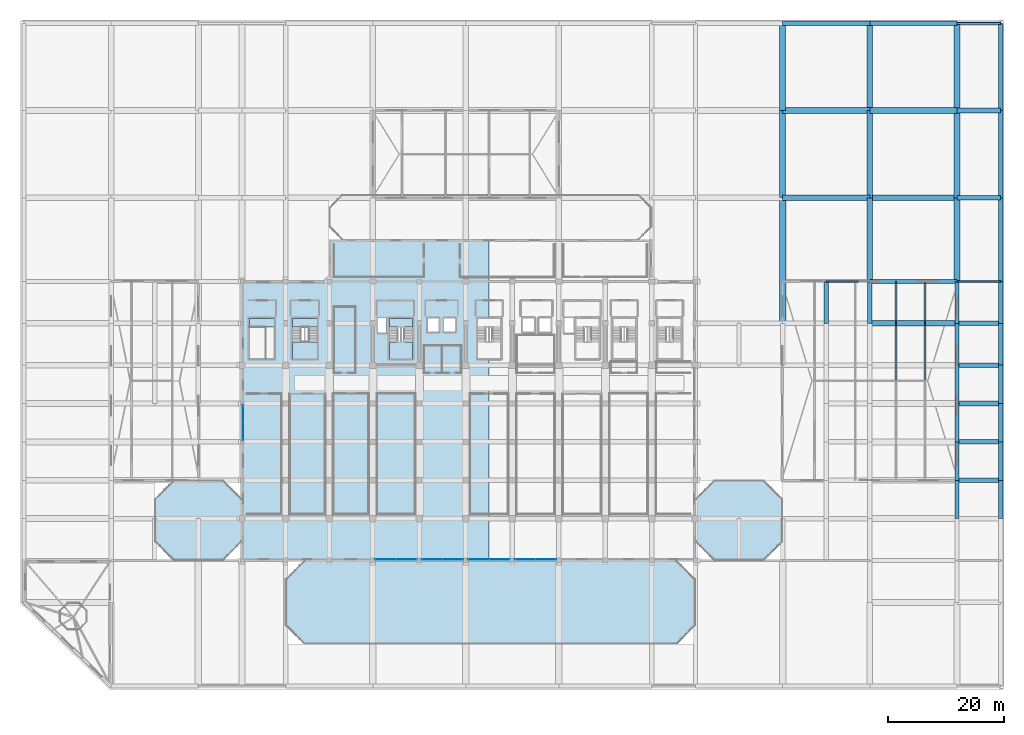
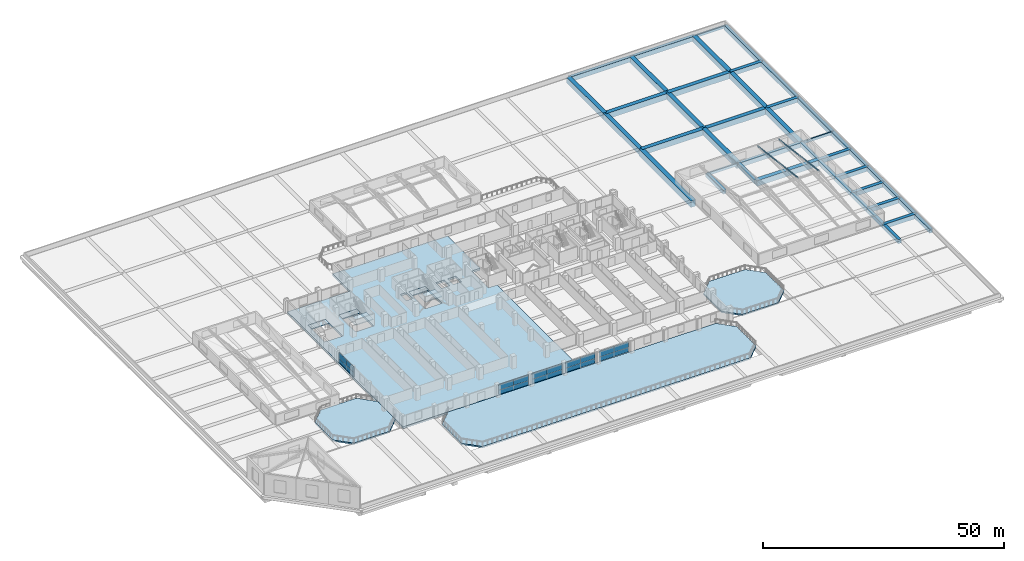
# One storey, part 31 of 49: 44 beams, 15 plates, 9 slabs, 2 members, 7 elements without a shape of their own.
"""IFC4 building model written with IfcOpenShell, lengths in metres."""

from ifc_helpers import new_model, si_unit, direction, frame, origin, origin_2d, place, context, subcontext, project, spatial, polyline, rectangle, i_section, outline, extrude, material, layer, layer_set, material_profile, profile_set, type_object, element, aggregate, save


model = new_model("IFC4")

# Units and contexts
model_context = context("Model", 3, precision=1e-05, world=origin(), true_north=direction((0.0, 1.0)))
body_context = subcontext(model_context, "Body", "Model", "MODEL_VIEW")
ifc_project = project(units=[si_unit("LENGTHUNIT", "METRE"), si_unit("AREAUNIT", "SQUARE_METRE"), si_unit("VOLUMEUNIT", "CUBIC_METRE"), si_unit("PLANEANGLEUNIT", "RADIAN"), si_unit("MASSUNIT", "GRAM", prefix="KILO")], contexts=[model_context])

# Site, building, storey
site_placement = place(None, origin())
site = spatial("IfcSite", under=ifc_project, at=site_placement, CompositionType="ELEMENT")
building_placement = place(site_placement, origin())
building = spatial("IfcBuilding", under=site, at=building_placement, Name="Akrevak Sports Hall", CompositionType="ELEMENT")
storey_placement = place(building_placement, frame((0.0, 0.0, 24.14990234375)))
storey = spatial("IfcBuildingStorey", under=building, at=storey_placement, Name="L04", CompositionType="ELEMENT", Elevation=24.14990234375)

# Beams
ifc_material_1 = material(Name="Concrete C50/60", Category="concrete")
ifc_material_profile_1 = material_profile(ifc_material_1, rectangle(XDim=1.0, YDim=1.449951171875, at=origin_2d()), Name="BM 1000x1450", Category="concrete")
ifc_profile_set_1 = profile_set([ifc_material_profile_1], Name="Concrete C50/60")
beam_type_1 = type_object("IfcBeamType", Name="STR-BM-LG1000x1450", PredefinedType="BEAM", material=ifc_profile_set_1)
for number, where, z_axis, x_axis, name in (
    (1, (145.5, 62.39990234375, -0.724853515625), (1.0, 0.0, 0.0), (0.0, 1.0, 0.0), "Girder J/20-22 (L04)"),
    (2, (130.5, 84.0, -0.724853515625), (1.0, 0.0, 0.0), (0.0, 1.0, 0.0), "Girder M/18-20 (L04)"),
    (3, (145.5, 84.0, -0.724853515625), (1.0, 0.0, 0.0), (0.0, 1.0, 0.0), "Girder M/20-22 (L04)"),
    (4, (130.5, 99.0, -0.724853515625), (1.0, 0.0, 0.0), (0.0, 1.0, 0.0), "Girder O/18-20 (L04)"),
    (5, (145.5, 99.0, -0.724853515625), (1.0, 0.0, 0.0), (0.0, 1.0, 0.0), "Girder O/20-22 (L04)"),
    (6, (130.5, 84.0, -0.724853515625), (0.0, 1.0, 0.0), (-1.0, 0.0, 0.0), "Girder 18/M-O (L04)"),
    (7, (130.5, 99.0, -0.724853515625), (0.0, 1.0, 0.0), (-1.0, 0.0, 0.0), "Girder 18/O-Q (L04)"),
):
    element("IfcBeam", number, at=place(storey_placement, frame(where, z_axis=z_axis, x_axis=x_axis)), inside=storey, type_object=beam_type_1, Name=name, PredefinedType="BEAM", context=body_context, shape_type="SweptSolid", body=[
        extrude(rectangle(XDim=1.0, YDim=1.449951171875, at=origin_2d()), origin(), (0.0, 0.0, 1.0), 15.0),
    ])
beam_1_placement = place(storey_placement, frame((145.5, 69.60009765625, -0.724853515625), z_axis=(0.0, 1.0, 0.0), x_axis=(-1.0, 0.0, 0.0)))
element("IfcBeam", 8, at=beam_1_placement, inside=storey, type_object=beam_type_1, Name="Girder 20/K-M (L04)", PredefinedType="BEAM", context=body_context, shape_type="SweptSolid", body=[
    extrude(rectangle(XDim=1.0, YDim=1.449951171875, at=origin_2d()), origin(), (0.0, 0.0, 1.0), 14.39990234375),
])
for number, where, z_axis, x_axis, name in (
    (9, (145.5, 84.0, -0.724853515625), (0.0, 1.0, 0.0), (-1.0, 0.0, 0.0), "Girder 20/M-O (L04)"),
    (10, (145.5, 99.0, -0.724853515625), (0.0, 1.0, 0.0), (-1.0, 0.0, 0.0), "Girder 20/O-Q (L04)"),
):
    element("IfcBeam", number, at=place(storey_placement, frame(where, z_axis=z_axis, x_axis=x_axis)), inside=storey, type_object=beam_type_1, Name=name, PredefinedType="BEAM", context=body_context, shape_type="SweptSolid", body=[
        extrude(rectangle(XDim=1.0, YDim=1.449951171875, at=origin_2d()), origin(), (0.0, 0.0, 1.0), 15.0),
    ])
beam_2_placement = place(storey_placement, frame((160.5, 69.60009765625, -0.724853515625), z_axis=(0.0, 1.0, 0.0), x_axis=(-1.0, 0.0, 0.0)))
element("IfcBeam", 11, at=beam_2_placement, inside=storey, type_object=beam_type_1, Name="Girder 22/K-M (L04)", PredefinedType="BEAM", context=body_context, shape_type="SweptSolid", body=[
    extrude(rectangle(XDim=1.0, YDim=1.449951171875, at=origin_2d()), origin(), (0.0, 0.0, 1.0), 14.39990234375),
])
for number, where, z_axis, x_axis, name in (
    (12, (160.5, 84.0, -0.724853515625), (0.0, 1.0, 0.0), (-1.0, 0.0, 0.0), "Girder 22/M-O (L04)"),
    (13, (160.5, 99.0, -0.724853515625), (0.0, 1.0, 0.0), (-1.0, 0.0, 0.0), "Girder 22/O-Q (L04)"),
):
    element("IfcBeam", number, at=place(storey_placement, frame(where, z_axis=z_axis, x_axis=x_axis)), inside=storey, type_object=beam_type_1, Name=name, PredefinedType="BEAM", context=body_context, shape_type="SweptSolid", body=[
        extrude(rectangle(XDim=1.0, YDim=1.449951171875, at=origin_2d()), origin(), (0.0, 0.0, 1.0), 15.0),
    ])
ifc_material_profile_2 = material_profile(ifc_material_1, rectangle(XDim=1.10009765625, YDim=1.64990234375, at=origin_2d()), Name="BM 1100x1650", Category="concrete")
ifc_profile_set_2 = profile_set([ifc_material_profile_2], Name="Concrete C50/60")
beam_type_2 = type_object("IfcBeamType", Name="STR-BM-LG1100x1650", PredefinedType="BEAM", material=ifc_profile_set_2)
beam_3_placement = place(storey_placement, frame((130.5, 62.39990234375, -0.824951171875), z_axis=(0.0, 1.0, 0.0), x_axis=(-1.0, 0.0, 0.0)))
element("IfcBeam", 14, at=beam_3_placement, inside=storey, type_object=beam_type_2, Name="Girder 18/J-M (L04)", PredefinedType="BEAM", context=body_context, shape_type="SweptSolid", body=[
    extrude(rectangle(XDim=1.10009765625, YDim=1.64990234375, at=origin_2d()), origin(), (0.0, 0.0, 1.0), 21.60009765625),
])
ifc_material_profile_3 = material_profile(ifc_material_1, rectangle(XDim=0.75, YDim=1.0, at=origin_2d()), Name="BM 750x1000", Category="concrete")
ifc_profile_set_3 = profile_set([ifc_material_profile_3], Name="Concrete C50/60")
beam_type_3 = type_object("IfcBeamType", Name="STR-BM-RC750x1000", PredefinedType="BEAM", material=ifc_profile_set_3)
for number, where, z_axis, x_axis, name in (
    (15, (138.0, 62.39990234375, -0.5), (0.0, 1.0, 0.0), (-1.0, 0.0, 0.0), "Girder 19/J-K (L04)"),
    (16, (145.5, 62.39990234375, -0.5), (0.0, 1.0, 0.0), (-1.0, 0.0, 0.0), "Girder 20/J-K (L04)"),
):
    element("IfcBeam", number, at=place(storey_placement, frame(where, z_axis=z_axis, x_axis=x_axis)), inside=storey, type_object=beam_type_3, Name=name, PredefinedType="BEAM", context=body_context, shape_type="SweptSolid", body=[
        extrude(rectangle(XDim=0.75, YDim=1.0, at=origin_2d()), origin(), (0.0, 0.0, 1.0), 7.2001953125),
    ])
beam_4_placement = place(storey_placement, frame((160.5, 28.800048828125, -0.5), z_axis=(0.0, 1.0, 0.0), x_axis=(-1.0, 0.0, 0.0)))
element("IfcBeam", 17, at=beam_4_placement, inside=storey, type_object=beam_type_3, Name="Girder 22/E-F (L04)", PredefinedType="BEAM", context=body_context, shape_type="SweptSolid", body=[
    extrude(rectangle(XDim=0.75, YDim=1.0, at=origin_2d()), origin(), (0.0, 0.0, 1.0), 6.599853515625),
])
for number, where, z_axis, x_axis, name in (
    (18, (160.5, 35.39990234375, -0.5), (0.0, 1.0, 0.0), (-1.0, 0.0, 0.0), "Girder 22/F-G (L04)"),
    (19, (160.5, 42.0, -0.5), (0.0, 1.0, 0.0), (-1.0, 0.0, 0.0), "Girder 22/G-H (L04)"),
):
    element("IfcBeam", number, at=place(storey_placement, frame(where, z_axis=z_axis, x_axis=x_axis)), inside=storey, type_object=beam_type_3, Name=name, PredefinedType="BEAM", context=body_context, shape_type="SweptSolid", body=[
        extrude(rectangle(XDim=0.75, YDim=1.0, at=origin_2d()), origin(), (0.0, 0.0, 1.0), 6.60009765625),
    ])
beam_5_placement = place(storey_placement, frame((160.5, 48.60009765625, -0.5), z_axis=(0.0, 1.0, 0.0), x_axis=(-1.0, 0.0, 0.0)))
element("IfcBeam", 20, at=beam_5_placement, inside=storey, type_object=beam_type_3, Name="Girder 22/H-I (L04)", PredefinedType="BEAM", context=body_context, shape_type="SweptSolid", body=[
    extrude(rectangle(XDim=0.75, YDim=1.0, at=origin_2d()), origin(), (0.0, 0.0, 1.0), 6.599853515625),
])
beam_6_placement = place(storey_placement, frame((160.5, 55.199951171875, -0.5), z_axis=(0.0, 1.0, 0.0), x_axis=(-1.0, 0.0, 0.0)))
element("IfcBeam", 21, at=beam_6_placement, inside=storey, type_object=beam_type_3, Name="Girder 22/I-J (L04)", PredefinedType="BEAM", context=body_context, shape_type="SweptSolid", body=[
    extrude(rectangle(XDim=0.75, YDim=1.0, at=origin_2d()), origin(), (0.0, 0.0, 1.0), 7.199951171875),
])
beam_7_placement = place(storey_placement, frame((160.5, 62.39990234375, -0.5), z_axis=(0.0, 1.0, 0.0), x_axis=(-1.0, 0.0, 0.0)))
element("IfcBeam", 22, at=beam_7_placement, inside=storey, type_object=beam_type_3, Name="Girder 22/J-K (L04)", PredefinedType="BEAM", context=body_context, shape_type="SweptSolid", body=[
    extrude(rectangle(XDim=0.75, YDim=1.0, at=origin_2d()), origin(), (0.0, 0.0, 1.0), 7.2001953125),
])
beam_8_placement = place(storey_placement, frame((168.0, 28.800048828125, -0.5), z_axis=(0.0, 1.0, 0.0), x_axis=(-1.0, 0.0, 0.0)))
element("IfcBeam", 23, at=beam_8_placement, inside=storey, type_object=beam_type_3, Name="Girder 23/E-F (L04)", PredefinedType="BEAM", context=body_context, shape_type="SweptSolid", body=[
    extrude(rectangle(XDim=0.75, YDim=1.0, at=origin_2d()), origin(), (0.0, 0.0, 1.0), 6.599853515625),
])
for number, where, z_axis, x_axis, name in (
    (24, (168.0, 35.39990234375, -0.5), (0.0, 1.0, 0.0), (-1.0, 0.0, 0.0), "Girder 23/F-G (L04)"),
    (25, (168.0, 42.0, -0.5), (0.0, 1.0, 0.0), (-1.0, 0.0, 0.0), "Girder 23/G-H (L04)"),
):
    element("IfcBeam", number, at=place(storey_placement, frame(where, z_axis=z_axis, x_axis=x_axis)), inside=storey, type_object=beam_type_3, Name=name, PredefinedType="BEAM", context=body_context, shape_type="SweptSolid", body=[
        extrude(rectangle(XDim=0.75, YDim=1.0, at=origin_2d()), origin(), (0.0, 0.0, 1.0), 6.60009765625),
    ])
beam_9_placement = place(storey_placement, frame((168.0, 48.60009765625, -0.5), z_axis=(0.0, 1.0, 0.0), x_axis=(-1.0, 0.0, 0.0)))
element("IfcBeam", 26, at=beam_9_placement, inside=storey, type_object=beam_type_3, Name="Girder 23/H-I (L04)", PredefinedType="BEAM", context=body_context, shape_type="SweptSolid", body=[
    extrude(rectangle(XDim=0.75, YDim=1.0, at=origin_2d()), origin(), (0.0, 0.0, 1.0), 6.599853515625),
])
beam_10_placement = place(storey_placement, frame((168.0, 55.199951171875, -0.5), z_axis=(0.0, 1.0, 0.0), x_axis=(-1.0, 0.0, 0.0)))
element("IfcBeam", 27, at=beam_10_placement, inside=storey, type_object=beam_type_3, Name="Girder 23/I-J (L04)", PredefinedType="BEAM", context=body_context, shape_type="SweptSolid", body=[
    extrude(rectangle(XDim=0.75, YDim=1.0, at=origin_2d()), origin(), (0.0, 0.0, 1.0), 7.199951171875),
])
beam_11_placement = place(storey_placement, frame((168.0, 62.39990234375, -0.5), z_axis=(0.0, 1.0, 0.0), x_axis=(-1.0, 0.0, 0.0)))
element("IfcBeam", 28, at=beam_11_placement, inside=storey, type_object=beam_type_3, Name="Girder 23/J-K (L04)", PredefinedType="BEAM", context=body_context, shape_type="SweptSolid", body=[
    extrude(rectangle(XDim=0.75, YDim=1.0, at=origin_2d()), origin(), (0.0, 0.0, 1.0), 7.2001953125),
])
ifc_material_profile_4 = material_profile(ifc_material_1, rectangle(XDim=0.800048828125, YDim=1.10009765625, at=origin_2d()), Name="BM 800x1100", Category="concrete")
ifc_profile_set_4 = profile_set([ifc_material_profile_4], Name="Concrete C50/60")
beam_type_4 = type_object("IfcBeamType", Name="STR-BM-RC800x1100", PredefinedType="BEAM", material=ifc_profile_set_4)
for number, where, z_axis, x_axis, name in (
    (29, (160.5, 35.39990234375, -0.5498046875), (1.0, 0.0, 0.0), (0.0, 1.0, 0.0), "Girder F/22-23 (L04)"),
    (30, (160.5, 42.0, -0.5498046875), (1.0, 0.0, 0.0), (0.0, 1.0, 0.0), "Girder G/22-23 (L04)"),
    (31, (160.5, 48.60009765625, -0.5498046875), (1.0, 0.0, 0.0), (0.0, 1.0, 0.0), "Girder H/22-23 (L04)"),
    (32, (160.5, 55.199951171875, -0.5498046875), (1.0, 0.0, 0.0), (0.0, 1.0, 0.0), "Girder I/22-23 (L04)"),
    (33, (160.5, 62.39990234375, -0.5498046875), (1.0, 0.0, 0.0), (0.0, 1.0, 0.0), "Girder J/22-23 (L04)"),
    (34, (160.5, 84.0, -0.5498046875), (1.0, 0.0, 0.0), (0.0, 1.0, 0.0), "Girder M/22-23 (L04)"),
    (35, (160.5, 99.0, -0.5498046875), (1.0, 0.0, 0.0), (0.0, 1.0, 0.0), "Girder O/22-23 (L04)"),
):
    element("IfcBeam", number, at=place(storey_placement, frame(where, z_axis=z_axis, x_axis=x_axis)), inside=storey, type_object=beam_type_4, Name=name, PredefinedType="BEAM", context=body_context, shape_type="SweptSolid", body=[
        extrude(rectangle(XDim=0.800048828125, YDim=1.10009765625, at=origin_2d()), origin(), (0.0, 0.0, 1.0), 7.5),
    ])

# Members
ifc_material_2 = material(Name="Steel S355", Category="steel")
ifc_material_profile_5 = material_profile(ifc_material_2, i_section(OverallWidth=0.14990234375, OverallDepth=0.300048828125, WebThickness=0.007080078125, FlangeThickness=0.0107421875, FilletRadius=0.014892578125, at=origin_2d()), Name="IPE 300", Category="steel")
ifc_profile_set_5 = profile_set([ifc_material_profile_5], Name="Steel S355")
member_type = type_object("IfcMemberType", Name="STR-MEM-RAF-IPE300", PredefinedType="RAFTER", material=ifc_profile_set_5)
for number, where, z_axis, x_axis, name in (
    (36, (150.0, 69.60009765625, 2.60009765625), (0.0, -0.99197205839, 0.126457247214), (1.0, 0.0, 0.0), "East Volleyball & Climbing Hall Monitor Roof North Steel Rafter 3"),
    (37, (155.0, 69.60009765625, 2.60009765625), (0.0, -0.99197205839, 0.126457247214), (1.0, 0.0, 0.0), "East Volleyball & Climbing Hall Monitor Roof North Steel Rafter 4"),
):
    element("IfcMember", number, at=place(storey_placement, frame(where, z_axis=z_axis, x_axis=x_axis)), inside=storey, type_object=member_type, Name=name, PredefinedType="RAFTER", context=body_context, shape_type="SweptSolid", body=[
        extrude(i_section(OverallWidth=0.14990234375, OverallDepth=0.300048828125, WebThickness=0.007080078125, FlangeThickness=0.0107421875, FilletRadius=0.014892578125, at=origin_2d()), origin(), (0.0, 0.0, 1.0), 17.238525390625),
    ])

# Beams
ifc_material_profile_6 = material_profile(ifc_material_1, rectangle(XDim=0.75, YDim=1.14990234375, at=origin_2d()), Name="SPD 750x1150", Category="concrete")
ifc_profile_set_6 = profile_set([ifc_material_profile_6], Name="Concrete C50/60")
beam_type_5 = type_object("IfcBeamType", Name="STR-SPD-LSP750x1150", PredefinedType="SPANDREL", material=ifc_profile_set_6)
for number, where, z_axis, x_axis, name in (
    (38, (145.5, 69.60009765625, -0.574951171875), (1.0, 0.0, 0.0), (0.0, 1.0, 0.0), "Girder K/20-22 (L04)"),
    (39, (130.5, 114.0, -0.574951171875), (1.0, 0.0, 0.0), (0.0, 1.0, 0.0), "Girder Q/18-20 (L04)"),
    (40, (145.5, 114.0, -0.574951171875), (1.0, 0.0, 0.0), (0.0, 1.0, 0.0), "Girder Q/20-22 (L04)"),
):
    element("IfcBeam", number, at=place(storey_placement, frame(where, z_axis=z_axis, x_axis=x_axis)), inside=storey, type_object=beam_type_5, Name=name, PredefinedType="SPANDREL", context=body_context, shape_type="SweptSolid", body=[
        extrude(rectangle(XDim=0.75, YDim=1.14990234375, at=origin_2d()), origin(), (0.0, 0.0, 1.0), 15.0),
    ])
beam_12_placement = place(storey_placement, frame((168.0, 69.60009765625, -0.574951171875), z_axis=(0.0, 1.0, 0.0), x_axis=(-1.0, 0.0, 0.0)))
element("IfcBeam", 41, at=beam_12_placement, inside=storey, type_object=beam_type_5, Name="Girder 23/K-M (L04)", PredefinedType="SPANDREL", context=body_context, shape_type="SweptSolid", body=[
    extrude(rectangle(XDim=0.75, YDim=1.14990234375, at=origin_2d()), origin(), (0.0, 0.0, 1.0), 14.39990234375),
])
for number, where, z_axis, x_axis, name in (
    (42, (168.0, 84.0, -0.574951171875), (0.0, 1.0, 0.0), (-1.0, 0.0, 0.0), "Girder 23/M-O (L04)"),
    (43, (168.0, 99.0, -0.574951171875), (0.0, 1.0, 0.0), (-1.0, 0.0, 0.0), "Girder 23/O-Q (L04)"),
):
    element("IfcBeam", number, at=place(storey_placement, frame(where, z_axis=z_axis, x_axis=x_axis)), inside=storey, type_object=beam_type_5, Name=name, PredefinedType="SPANDREL", context=body_context, shape_type="SweptSolid", body=[
        extrude(rectangle(XDim=0.75, YDim=1.14990234375, at=origin_2d()), origin(), (0.0, 0.0, 1.0), 15.0),
    ])
ifc_material_3 = material(Name="Concrete C40/50", Category="concrete")
ifc_material_profile_7 = material_profile(ifc_material_3, rectangle(XDim=0.320068359375, YDim=0.679931640625, at=origin_2d()), Name="SPD 320x680", Category="concrete")
ifc_profile_set_7 = profile_set([ifc_material_profile_7], Name="Concrete C40/50")
beam_type_6 = type_object("IfcBeamType", Name="STR-SPD-RC320x680", PredefinedType="SPANDREL", material=ifc_profile_set_7)
for number, where, z_axis, x_axis, name in (
    (44, (138.0, 69.60009765625, -0.33984375), (1.0, 0.0, 0.0), (0.0, 1.0, 0.0), "Girder K/19-20 (L04)"),
    (45, (160.5, 69.60009765625, -0.33984375), (1.0, 0.0, 0.0), (0.0, 1.0, 0.0), "Girder K/22-23 (L04)"),
    (46, (160.5, 114.0, -0.33984375), (1.0, 0.0, 0.0), (0.0, 1.0, 0.0), "Girder Q/22-23 (L04)"),
):
    element("IfcBeam", number, at=place(storey_placement, frame(where, z_axis=z_axis, x_axis=x_axis)), inside=storey, type_object=beam_type_6, Name=name, PredefinedType="SPANDREL", context=body_context, shape_type="SweptSolid", body=[
        extrude(rectangle(XDim=0.320068359375, YDim=0.679931640625, at=origin_2d()), origin(), (0.0, 0.0, 1.0), 7.5),
    ])

# Curtain wall, plates
ifc_material_4 = material(Name="Anodized Bronze Aluminium & Low-E Glass", Category="aluminium")
curtain_wall_type = type_object("IfcCurtainWallType", Name="ARC-CW-TWR-72x30", PredefinedType="NOTDEFINED", material=ifc_material_4)
curtain_wall_1_placement = place(storey_placement, origin())
curtain_wall_1 = element("IfcCurtainWall", 47, at=curtain_wall_1_placement, inside=storey, type_object=curtain_wall_type, Name="Curtain Wall CW-L04-S04", PredefinedType="NOTDEFINED")
ifc_material_5 = material(Name="Double Low-E Tempered Glass", Category="glass")
ifc_layer_1 = layer(ifc_material_5, 0.031982421875, Name="Double Low-E Tempered Glass")
ifc_layer_set_1 = layer_set([ifc_layer_1], Name="Double Low-E Tempered Glass")
plate_type_1 = type_object("IfcPlateType", Name="ARC-CWP-GLZ-32", PredefinedType="CURTAIN_PANEL", material=ifc_layer_set_1)
plate_1_placement = place(storey_placement, frame((62.22509765625, 21.760009765625, 1.10009765625), z_axis=(0.0, 0.0, 1.0), x_axis=(1.0, 0.0, 0.0)))
plate_1 = element("IfcPlate", 48, at=plate_1_placement, type_object=plate_type_1, Name="Vision Glass Panel CW-L04-S04-G1", PredefinedType="CURTAIN_PANEL", context=body_context, shape_type="SweptSolid", body=[
    extrude(rectangle(XDim=3.550048828125, YDim=0.035888671875, at=origin_2d()), origin(), (0.0, 0.0, 1.0), 1.5),
])
plate_2_placement = place(storey_placement, frame((65.77490234375, 21.760009765625, 1.10009765625), z_axis=(0.0, 0.0, 1.0), x_axis=(1.0, 0.0, 0.0)))
plate_2 = element("IfcPlate", 49, at=plate_2_placement, type_object=plate_type_1, Name="Vision Glass Panel CW-L04-S04-G2", PredefinedType="CURTAIN_PANEL", context=body_context, shape_type="SweptSolid", body=[
    extrude(rectangle(XDim=3.550048828125, YDim=0.035888671875, at=origin_2d()), origin(), (0.0, 0.0, 1.0), 1.5),
])

curtain_wall_2_placement = place(storey_placement, origin())
curtain_wall_2 = element("IfcCurtainWall", 50, at=curtain_wall_2_placement, inside=storey, type_object=curtain_wall_type, Name="Curtain Wall CW-L04-S05", PredefinedType="NOTDEFINED")
plate_3_placement = place(storey_placement, frame((70.22509765625, 21.760009765625, 1.10009765625), z_axis=(0.0, 0.0, 1.0), x_axis=(1.0, 0.0, 0.0)))
plate_3 = element("IfcPlate", 51, at=plate_3_placement, type_object=plate_type_1, Name="Vision Glass Panel CW-L04-S05-G1", PredefinedType="CURTAIN_PANEL", context=body_context, shape_type="SweptSolid", body=[
    extrude(rectangle(XDim=3.550048828125, YDim=0.035888671875, at=origin_2d()), origin(), (0.0, 0.0, 1.0), 1.5),
])
plate_4_placement = place(storey_placement, frame((73.77490234375, 21.760009765625, 1.10009765625), z_axis=(0.0, 0.0, 1.0), x_axis=(1.0, 0.0, 0.0)))
plate_4 = element("IfcPlate", 52, at=plate_4_placement, type_object=plate_type_1, Name="Vision Glass Panel CW-L04-S05-G2", PredefinedType="CURTAIN_PANEL", context=body_context, shape_type="SweptSolid", body=[
    extrude(rectangle(XDim=3.550048828125, YDim=0.035888671875, at=origin_2d()), origin(), (0.0, 0.0, 1.0), 1.5),
])

curtain_wall_3_placement = place(storey_placement, origin())
curtain_wall_3 = element("IfcCurtainWall", 53, at=curtain_wall_3_placement, inside=storey, type_object=curtain_wall_type, Name="Curtain Wall CW-L04-S06", PredefinedType="NOTDEFINED")
plate_5_placement = place(storey_placement, frame((78.22509765625, 21.760009765625, 1.10009765625), z_axis=(0.0, 0.0, 1.0), x_axis=(1.0, 0.0, 0.0)))
plate_5 = element("IfcPlate", 54, at=plate_5_placement, type_object=plate_type_1, Name="Vision Glass Panel CW-L04-S06-G1", PredefinedType="CURTAIN_PANEL", context=body_context, shape_type="SweptSolid", body=[
    extrude(rectangle(XDim=3.550048828125, YDim=0.035888671875, at=origin_2d()), origin(), (0.0, 0.0, 1.0), 1.5),
])
plate_6_placement = place(storey_placement, frame((81.77490234375, 21.760009765625, 1.10009765625), z_axis=(0.0, 0.0, 1.0), x_axis=(1.0, 0.0, 0.0)))
plate_6 = element("IfcPlate", 55, at=plate_6_placement, type_object=plate_type_1, Name="Vision Glass Panel CW-L04-S06-G2", PredefinedType="CURTAIN_PANEL", context=body_context, shape_type="SweptSolid", body=[
    extrude(rectangle(XDim=3.550048828125, YDim=0.035888671875, at=origin_2d()), origin(), (0.0, 0.0, 1.0), 1.5),
])

curtain_wall_4_placement = place(storey_placement, origin())
curtain_wall_4 = element("IfcCurtainWall", 56, at=curtain_wall_4_placement, inside=storey, type_object=curtain_wall_type, Name="Curtain Wall CW-L04-S07", PredefinedType="NOTDEFINED")
plate_7_placement = place(storey_placement, frame((86.22509765625, 21.760009765625, 1.10009765625), z_axis=(0.0, 0.0, 1.0), x_axis=(1.0, 0.0, 0.0)))
plate_7 = element("IfcPlate", 57, at=plate_7_placement, type_object=plate_type_1, Name="Vision Glass Panel CW-L04-S07-G1", PredefinedType="CURTAIN_PANEL", context=body_context, shape_type="SweptSolid", body=[
    extrude(rectangle(XDim=3.550048828125, YDim=0.035888671875, at=origin_2d()), origin(), (0.0, 0.0, 1.0), 1.5),
])
plate_8_placement = place(storey_placement, frame((89.77490234375, 21.760009765625, 1.10009765625), z_axis=(0.0, 0.0, 1.0), x_axis=(1.0, 0.0, 0.0)))
plate_8 = element("IfcPlate", 58, at=plate_8_placement, type_object=plate_type_1, Name="Vision Glass Panel CW-L04-S07-G2", PredefinedType="CURTAIN_PANEL", context=body_context, shape_type="SweptSolid", body=[
    extrude(rectangle(XDim=3.550048828125, YDim=0.035888671875, at=origin_2d()), origin(), (0.0, 0.0, 1.0), 1.5),
])

curtain_wall_5_placement = place(storey_placement, origin())
curtain_wall_5 = element("IfcCurtainWall", 59, at=curtain_wall_5_placement, inside=storey, type_object=curtain_wall_type, Name="Curtain Wall CW-L04-W33", PredefinedType="NOTDEFINED")
plate_9_placement = place(storey_placement, frame((37.659912109375, 46.8125, 1.10009765625), z_axis=(0.0, 0.0, 1.0), x_axis=(0.0, -1.0, 0.0)))
plate_9 = element("IfcPlate", 60, at=plate_9_placement, type_object=plate_type_1, Name="Vision Glass Panel CW-L04-W33-G1", PredefinedType="CURTAIN_PANEL", context=body_context, shape_type="SweptSolid", body=[
    extrude(rectangle(XDim=3.02490234375, YDim=0.035888671875, at=origin_2d()), origin(), (0.0, 0.0, 1.0), 1.5),
])
plate_10_placement = place(storey_placement, frame((37.659912109375, 43.78759765625, 1.10009765625), z_axis=(0.0, 0.0, 1.0), x_axis=(0.0, -1.0, 0.0)))
plate_10 = element("IfcPlate", 61, at=plate_10_placement, type_object=plate_type_1, Name="Vision Glass Panel CW-L04-W33-G2", PredefinedType="CURTAIN_PANEL", context=body_context, shape_type="SweptSolid", body=[
    extrude(rectangle(XDim=3.02490234375, YDim=0.035888671875, at=origin_2d()), origin(), (0.0, 0.0, 1.0), 1.5),
])

# Plate
ifc_material_6 = material(Name="Insulated Bronze Spandrel Panel", Category="aluminium")
ifc_layer_2 = layer(ifc_material_6, 0.0400390625, Name="Insulated Bronze Spandrel Panel")
ifc_layer_set_2 = layer_set([ifc_layer_2], Name="Insulated Bronze Spandrel Panel")
plate_type_2 = type_object("IfcPlateType", Name="ARC-CWP-SPD-40", PredefinedType="CURTAIN_PANEL", material=ifc_layer_set_2)
plate_11_placement = place(storey_placement, frame((64.0, 21.760009765625, 0.0), z_axis=(0.0, 0.0, 1.0), x_axis=(1.0, 0.0, 0.0)))
plate_11 = element("IfcPlate", 62, at=plate_11_placement, type_object=plate_type_2, Name="Insulated Spandrel Panel CW-L04-S04-S1", PredefinedType="CURTAIN_PANEL", context=body_context, shape_type="SweptSolid", body=[
    extrude(rectangle(XDim=7.10009765625, YDim=0.0439453125, at=origin_2d()), origin(), (0.0, 0.0, 1.0), 1.10009765625),
])

aggregate(curtain_wall_1, [plate_1, plate_2, plate_11])

plate_12_placement = place(storey_placement, frame((72.0, 21.760009765625, 0.0), z_axis=(0.0, 0.0, 1.0), x_axis=(1.0, 0.0, 0.0)))
plate_12 = element("IfcPlate", 63, at=plate_12_placement, type_object=plate_type_2, Name="Insulated Spandrel Panel CW-L04-S05-S1", PredefinedType="CURTAIN_PANEL", context=body_context, shape_type="SweptSolid", body=[
    extrude(rectangle(XDim=7.10009765625, YDim=0.0439453125, at=origin_2d()), origin(), (0.0, 0.0, 1.0), 1.10009765625),
])

aggregate(curtain_wall_2, [plate_3, plate_4, plate_12])

plate_13_placement = place(storey_placement, frame((80.0, 21.760009765625, 0.0), z_axis=(0.0, 0.0, 1.0), x_axis=(1.0, 0.0, 0.0)))
plate_13 = element("IfcPlate", 64, at=plate_13_placement, type_object=plate_type_2, Name="Insulated Spandrel Panel CW-L04-S06-S1", PredefinedType="CURTAIN_PANEL", context=body_context, shape_type="SweptSolid", body=[
    extrude(rectangle(XDim=7.10009765625, YDim=0.0439453125, at=origin_2d()), origin(), (0.0, 0.0, 1.0), 1.10009765625),
])

aggregate(curtain_wall_3, [plate_5, plate_6, plate_13])

plate_14_placement = place(storey_placement, frame((88.0, 21.760009765625, 0.0), z_axis=(0.0, 0.0, 1.0), x_axis=(1.0, 0.0, 0.0)))
plate_14 = element("IfcPlate", 65, at=plate_14_placement, type_object=plate_type_2, Name="Insulated Spandrel Panel CW-L04-S07-S1", PredefinedType="CURTAIN_PANEL", context=body_context, shape_type="SweptSolid", body=[
    extrude(rectangle(XDim=7.10009765625, YDim=0.0439453125, at=origin_2d()), origin(), (0.0, 0.0, 1.0), 1.10009765625),
])

aggregate(curtain_wall_4, [plate_7, plate_8, plate_14])

plate_15_placement = place(storey_placement, frame((37.659912109375, 45.300048828125, 0.0), z_axis=(0.0, 0.0, 1.0), x_axis=(0.0, -1.0, 0.0)))
plate_15 = element("IfcPlate", 66, at=plate_15_placement, type_object=plate_type_2, Name="Insulated Spandrel Panel CW-L04-W33-S1", PredefinedType="CURTAIN_PANEL", context=body_context, shape_type="SweptSolid", body=[
    extrude(rectangle(XDim=6.050048828125, YDim=0.0439453125, at=origin_2d()), origin(), (0.0, 0.0, 1.0), 1.10009765625),
])

aggregate(curtain_wall_5, [plate_9, plate_10, plate_15])

# Slab
ifc_layer_3 = layer(ifc_material_1, 0.5, Name="Concrete C50/60")
ifc_layer_set_3 = layer_set([ifc_layer_3], Name="Concrete C50/60")
slab_type_1 = type_object("IfcSlabType", Name="PT-Transfer-Slab-500", PredefinedType="FLOOR", material=ifc_layer_set_3)
slab_1_placement = place(storey_placement, frame((0.0, 0.0, -0.5)))
element("IfcSlab", 67, at=slab_1_placement, inside=storey, type_object=slab_type_1, Name="Post-Tensioned Transfer Slab L04 Over Twin Courts", PredefinedType="FLOOR", context=body_context, shape_type="SweptSolid", body=[
    extrude(outline(polyline([(37.5, 69.60009765625), (37.5, 21.60009765625), (80.0, 21.60009765625), (80.0, 56.300048828125), (78.0, 56.300048828125), (78.0, 63.25), (80.0, 63.25), (80.0, 76.800048828125), (52.5, 76.800048828125), (52.5, 69.60009765625), (37.5, 69.60009765625)]), holes=[polyline([(38.75, 63.25), (43.050048828125, 63.25), (43.050048828125, 56.300048828125), (38.75, 56.300048828125), (38.75, 63.25)]), polyline([(50.449951171875, 63.25), (50.449951171875, 56.300048828125), (46.14990234375, 56.300048828125), (46.14990234375, 63.25), (50.449951171875, 63.25)]), polyline([(66.85009765625, 63.25), (66.85009765625, 56.300048828125), (62.85009765625, 56.300048828125), (62.85009765625, 63.25), (66.85009765625, 63.25)]), polyline([(62.3798828125, 63.280029296875), (62.3798828125, 60.77001953125), (60.8701171875, 60.77001953125), (60.8701171875, 63.280029296875), (62.3798828125, 63.280029296875)]), polyline([(71.3798828125, 63.280029296875), (71.3798828125, 60.919921875), (69.419921875, 60.919921875), (69.419921875, 63.280029296875), (71.3798828125, 63.280029296875)]), polyline([(72.219970703125, 63.280029296875), (74.179931640625, 63.280029296875), (74.179931640625, 60.919921875), (72.219970703125, 60.919921875), (72.219970703125, 63.280029296875)])]), origin(), (0.0, 0.0, 1.0), 0.5),
])

# Stair, slab
stair_type_1 = type_object("IfcStairType", Name="ARC-STR-DOG-340", PredefinedType="HALF_TURN_STAIR", material=ifc_material_3)
stair_1_placement = place(storey_placement, origin())
stair_1 = element("IfcStair", 68, at=stair_1_placement, inside=storey, type_object=stair_type_1, Name="Protected Exit Stair ST1 (L04 to L05)", PredefinedType="HALF_TURN_STAIR")
ifc_layer_4 = layer(ifc_material_3, 0.199951171875, Name="Concrete C40/50")
ifc_layer_set_4 = layer_set([ifc_layer_4], Name="Concrete C40/50")
slab_type_2 = type_object("IfcSlabType", Name="STR-SLB-LAND-200", PredefinedType="LANDING", material=ifc_layer_set_4)
slab_2_placement = place(storey_placement, frame((0.0, 0.0, 1.5)))
slab_2 = element("IfcSlab", 69, at=slab_2_placement, type_object=slab_type_2, Name="Stair ST1 Half-Landing 1 (L04)", PredefinedType="LANDING", context=body_context, shape_type="SweptSolid", body=[
    extrude(outline(polyline([(62.85009765625, 56.300048828125), (66.85009765625, 56.300048828125), (66.85009765625, 59.215087890625), (62.85009765625, 59.215087890625), (62.85009765625, 56.300048828125)])), origin(), (0.0, 0.0, 1.0), 0.2001953125),
])
aggregate(stair_1, [slab_2])

stair_type_2 = type_object("IfcStairType", Name="ARC-STR-MDOG-340", PredefinedType="HALF_TURN_STAIR", material=ifc_material_3)
stair_2_placement = place(storey_placement, origin())
stair_2 = element("IfcStair", 70, at=stair_2_placement, inside=storey, type_object=stair_type_2, Name="Protected Exit Stair ST4 (L04 to L05)", PredefinedType="HALF_TURN_STAIR")
slab_3_placement = place(storey_placement, frame((0.0, 0.0, 1.5)))
slab_3 = element("IfcSlab", 71, at=slab_3_placement, type_object=slab_type_2, Name="Stair ST4 Half-Landing 1 (L04)", PredefinedType="LANDING", context=body_context, shape_type="SweptSolid", body=[
    extrude(outline(polyline([(46.14990234375, 56.300048828125), (50.449951171875, 56.300048828125), (50.449951171875, 59.215087890625), (46.14990234375, 59.215087890625), (46.14990234375, 56.300048828125)])), origin(), (0.0, 0.0, 1.0), 0.2001953125),
])
aggregate(stair_2, [slab_3])

# Slabs
ifc_layer_5 = layer(ifc_material_3, 0.219970703125, Name="Concrete C40/50")
ifc_layer_set_5 = layer_set([ifc_layer_5], Name="Concrete C40/50")
slab_type_3 = type_object("IfcSlabType", Name="STR-SLB-LAND-220", PredefinedType="LANDING", material=ifc_layer_set_5)
slab_4_placement = place(storey_placement, frame((0.0, 0.0, -0.219970703125)))
element("IfcSlab", 72, at=slab_4_placement, inside=storey, type_object=slab_type_3, Name="Stair ST1 Floor Landing (L04)", PredefinedType="LANDING", context=body_context, shape_type="SweptSolid", body=[
    extrude(outline(polyline([(62.85009765625, 61.735107421875), (66.85009765625, 61.735107421875), (66.85009765625, 63.25), (62.85009765625, 63.25), (62.85009765625, 61.735107421875)])), origin(), (0.0, 0.0, 1.0), 0.219970703125),
])
slab_5_placement = place(storey_placement, frame((0.0, 0.0, -0.219970703125)))
element("IfcSlab", 73, at=slab_5_placement, inside=storey, type_object=slab_type_3, Name="Stair ST4 Floor Landing (L04)", PredefinedType="LANDING", context=body_context, shape_type="SweptSolid", body=[
    extrude(outline(polyline([(46.14990234375, 61.735107421875), (50.449951171875, 61.735107421875), (50.449951171875, 63.25), (46.14990234375, 63.25), (46.14990234375, 61.735107421875)])), origin(), (0.0, 0.0, 1.0), 0.219970703125),
])
slab_6_placement = place(storey_placement, frame((0.0, 0.0, -0.219970703125)))
element("IfcSlab", 74, at=slab_6_placement, inside=storey, type_object=slab_type_3, Name="Stair ST9 Floor Landing (L04)", PredefinedType="LANDING", context=body_context, shape_type="SweptSolid", body=[
    extrude(outline(polyline([(38.75, 61.735107421875), (43.050048828125, 61.735107421875), (43.050048828125, 63.25), (38.75, 63.25), (38.75, 61.735107421875)])), origin(), (0.0, 0.0, 1.0), 0.219970703125),
])
ifc_layer_6 = layer(ifc_material_3, 0.360107421875, Name="Concrete C40/50")
ifc_layer_set_6 = layer_set([ifc_layer_6], Name="Concrete C40/50")
slab_type_4 = type_object("IfcSlabType", Name="STR-SLB-TERR-360", PredefinedType="FLOOR", material=ifc_layer_set_6)
slab_7_placement = place(storey_placement, frame((0.0, 0.0, -0.35986328125)))
element("IfcSlab", 75, at=slab_7_placement, inside=storey, type_object=slab_type_4, Name="Podium West Roof Garden Terrace", PredefinedType="FLOOR", context=body_context, shape_type="SweptSolid", body=[
    extrude(outline(polyline([(34.300048828125, 21.60009765625), (37.5, 24.800048828125), (37.5, 32.199951171875), (34.300048828125, 35.39990234375), (25.699951171875, 35.39990234375), (22.5, 32.199951171875), (22.5, 24.800048828125), (25.699951171875, 21.60009765625), (34.300048828125, 21.60009765625)])), origin(), (0.0, 0.0, 1.0), 0.35986328125),
])
slab_8_placement = place(storey_placement, frame((0.0, 0.0, -0.35986328125)))
element("IfcSlab", 76, at=slab_8_placement, inside=storey, type_object=slab_type_4, Name="Podium East Roof Garden Terrace", PredefinedType="FLOOR", context=body_context, shape_type="SweptSolid", body=[
    extrude(outline(polyline([(127.300048828125, 21.60009765625), (130.5, 24.800048828125), (130.5, 32.199951171875), (127.300048828125, 35.39990234375), (118.699951171875, 35.39990234375), (115.5, 32.199951171875), (115.5, 24.800048828125), (118.699951171875, 21.60009765625), (127.300048828125, 21.60009765625)])), origin(), (0.0, 0.0, 1.0), 0.35986328125),
])
slab_9_placement = place(storey_placement, frame((0.0, 0.0, -0.35986328125)))
element("IfcSlab", 77, at=slab_9_placement, inside=storey, type_object=slab_type_4, Name="Podium South Honor Terrace", PredefinedType="FLOOR", context=body_context, shape_type="SweptSolid", body=[
    extrude(outline(polyline([(112.300048828125, 7.199951171875), (115.5, 10.39990234375), (115.5, 18.39990234375), (112.300048828125, 21.60009765625), (48.199951171875, 21.60009765625), (45.0, 18.39990234375), (45.0, 10.39990234375), (48.199951171875, 7.199951171875), (112.300048828125, 7.199951171875)])), origin(), (0.0, 0.0, 1.0), 0.35986328125),
])

save(model, "model.ifc")
